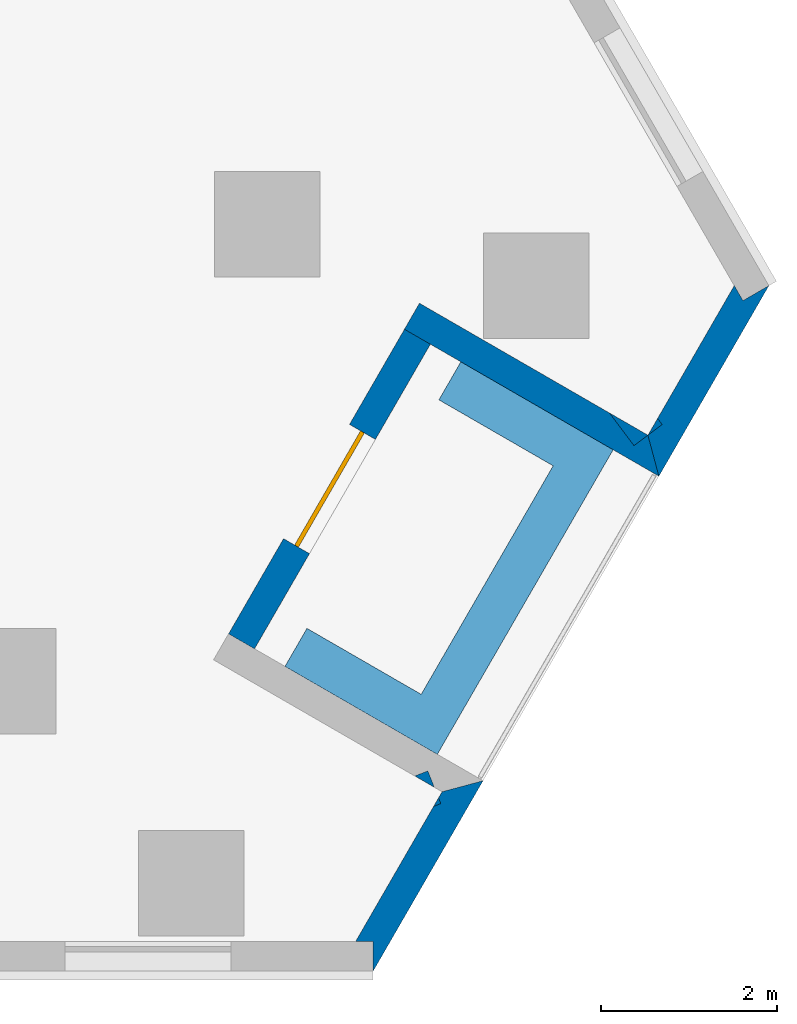
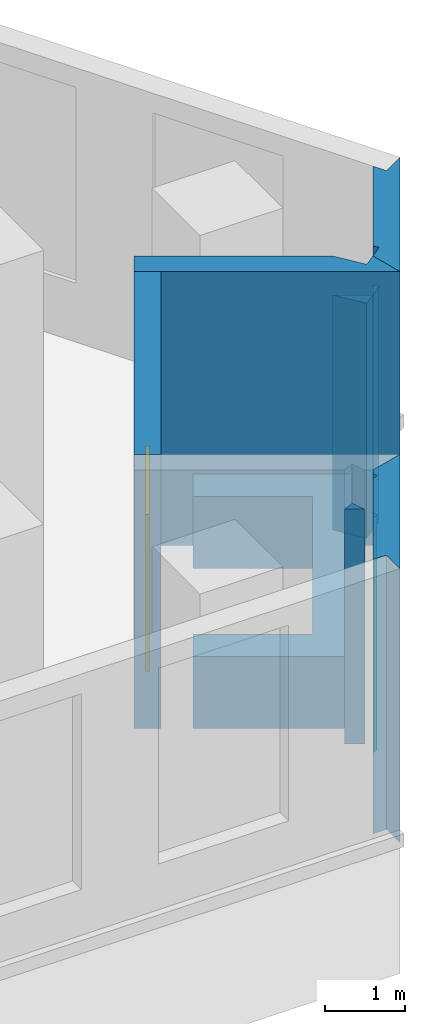
# One storey, part 6 of 13: 9 walls, 1 door, 1 opening.
"""IFC4 building model written with IfcOpenShell, lengths in metres."""

from ifc_helpers import new_model, si_unit, direction, frame, frame_2d, origin, place, context, subcontext, project, spatial, polyline, rectangle, outline, extrude, material, layer, layer_set, type_object, element, fill, save


model = new_model("IFC4")

# Units and contexts
model_context = context("Model", 3, precision=1e-05, world=origin(), true_north=direction((0.0, 1.0)))
body_context = subcontext(model_context, "Body", "Model", "MODEL_VIEW")
ifc_project = project(units=[si_unit("LENGTHUNIT", "METRE"), si_unit("AREAUNIT", "SQUARE_METRE"), si_unit("VOLUMEUNIT", "CUBIC_METRE"), si_unit("PLANEANGLEUNIT", "RADIAN"), si_unit("MASSUNIT", "GRAM", prefix="KILO")], contexts=[model_context])

# Site, building, storey
site_placement = place(None, origin())
site = spatial("IfcSite", under=ifc_project, at=site_placement, CompositionType="ELEMENT")
building_placement = place(site_placement, origin())
building = spatial("IfcBuilding", under=site, at=building_placement, Name="Fogline Exchange Tower", CompositionType="ELEMENT")
storey_placement = place(building_placement, frame((0.0, 0.0, 25.0)))
storey = spatial("IfcBuildingStorey", under=building, at=storey_placement, Name="L04", CompositionType="ELEMENT", Elevation=25.0)

# Walls
ifc_material_1 = material(Name="Brick masonry", Category="masonry")
ifc_layer_1 = layer(ifc_material_1, 0.340087890625)
ifc_layer_set_1 = layer_set([ifc_layer_1], Name="FW1")
wall_type_1 = type_object("IfcWallType", Name="FW1", PredefinedType="SOLIDWALL", material=ifc_layer_set_1)
wall_1_placement = place(storey_placement, origin())
element("IfcWall", 1, at=wall_1_placement, inside=storey, type_object=wall_type_1, Name="Brick wall L04 SE-c1", PredefinedType="SOLIDWALL", context=body_context, shape_type="SweptSolid", body=[
    extrude(outline(polyline([(28.744384765625, 1.970703125), (28.77001953125, 1.906005859375), (28.6884765625, 1.873779296875), (28.744384765625, 1.970703125)])), origin(), (0.0, 0.0, 1.0), 3.60009765625),
])
wall_2_placement = place(storey_placement, origin())
element("IfcWall", 2, at=wall_2_placement, inside=storey, type_object=wall_type_1, Name="Brick wall L04 SE-c1", PredefinedType="SOLIDWALL", context=body_context, shape_type="SweptSolid", body=[
    extrude(outline(polyline([(28.0, -0.001220703125), (27.99951171875, -0.0009765625), (27.99951171875, 0.33935546875), (27.802734375, 0.33935546875), (28.6884765625, 1.873779296875), (28.77001953125, 1.906005859375), (28.744384765625, 1.970703125), (28.78515625, 2.041015625), (29.2509765625, 2.166015625), (29.2509765625, 2.165771484375), (28.0, -0.001220703125)])), origin(), (0.0, 0.0, 1.0), 4.199951171875),
])
wall_3_placement = place(storey_placement, origin())
element("IfcWall", 3, at=wall_3_placement, inside=storey, type_object=wall_type_1, Name="Brick wall L04 SE-s1", PredefinedType="SOLIDWALL", context=body_context, shape_type="SweptSolid", body=[
    extrude(outline(polyline([(28.474609375, 2.219482421875), (28.623046875, 2.278076171875), (28.69677734375, 2.091064453125), (28.474609375, 2.219482421875)])), origin(), (0.0, 0.0, 1.0), 3.60009765625),
])

# Wall, opening, door
wall_4_placement = place(storey_placement, frame((26.504638671875, 3.75, 0.0), z_axis=(0.0, 0.0, 1.0), x_axis=(0.49999894854, 0.866026010844, 0.0)))
wall_4 = element("IfcWall", 4, at=wall_4_placement, inside=storey, type_object=wall_type_1, Name="Brick wall L04 SE-bk", PredefinedType="SOLIDWALL", context=body_context, shape_type="SweptSolid", body=[
    extrude(rectangle(XDim=4.0, YDim=0.340087890625, at=frame_2d((2.0, 0.0))), origin(), (0.0, 0.0, 1.0), 4.199951171875),
])
opening_placement = place(wall_4_placement, frame((1.25, 0.0, 0.0)))
opening = element("IfcOpeningElement", 5, at=opening_placement, cuts=wall_4, Name="Opening T00-E081", PredefinedType="OPENING", context=body_context, shape_type="SweptSolid", body=[
    extrude(rectangle(XDim=1.5, YDim=2.39990234375, at=frame_2d((0.75, 1.199951171875))), frame((0.0, 0.18017578125, 0.0), z_axis=(0.0, -1.0, 0.0), x_axis=(1.0, 0.0, 0.0)), (0.0, 0.0, 1.0), 0.360107421875),
])
ifc_material_2 = material(Name="Aluminium and glass", Category="aluminium")
door_type = type_object("IfcDoorType", Name="ED4", OperationType="SINGLE_SWING_LEFT", PredefinedType="DOOR", material=ifc_material_2)
door_placement = place(opening_placement, frame((1.5, 0.0, 0.0), z_axis=(0.0, 0.0, 1.0), x_axis=(-1.0, 0.0, 0.0)))
door = element("IfcDoor", 6, at=door_placement, inside=storey, type_object=door_type, Name="Balcony door L04 SE", OperationType="DOUBLE_DOOR_SINGLE_SWING", OverallHeight=2.39990234375, OverallWidth=1.5, PredefinedType="DOOR", context=body_context, shape_type="SweptSolid", body=[
    extrude(rectangle(XDim=1.5, YDim=2.39990234375, at=frame_2d((0.75, 1.199951171875))), frame((0.0, 0.02490234375, 0.0), z_axis=(0.0, -1.0, 0.0), x_axis=(1.0, 0.0, 0.0)), (0.0, 0.0, 1.0), 0.050048828125),
])
fill(opening, door)

# Walls
wall_5_placement = place(storey_placement, origin())
element("IfcWall", 7, at=wall_5_placement, inside=storey, type_object=wall_type_1, Name="Brick wall L04 SE-s2", PredefinedType="SOLIDWALL", context=body_context, shape_type="SweptSolid", body=[
    extrude(outline(polyline([(31.125244140625, 6.094482421875), (30.966552734375, 5.9755859375), (30.689208984375, 6.34619140625), (31.125244140625, 6.094482421875)])), origin(), (0.0, 0.0, 1.0), 3.60009765625),
])
wall_6_placement = place(storey_placement, origin())
element("IfcWall", 8, at=wall_6_placement, inside=storey, type_object=wall_type_1, Name="Brick wall L04 SE-s2", PredefinedType="SOLIDWALL", context=body_context, shape_type="SweptSolid", body=[
    extrude(outline(polyline([(28.651611328125, 7.128662109375), (28.356689453125, 7.298828125), (28.52734375, 7.594482421875), (30.689208984375, 6.34619140625), (30.966552734375, 5.9755859375), (31.125244140625, 6.094482421875), (31.1259765625, 6.093994140625), (31.250732421875, 5.62841796875), (31.25048828125, 5.628173828125), (28.651611328125, 7.128662109375)])), origin(), (0.0, 0.0, 1.0), 4.199951171875),
])
wall_7_placement = place(storey_placement, origin())
element("IfcWall", 9, at=wall_7_placement, inside=storey, type_object=wall_type_1, Name="Brick wall L04 SE-c2", PredefinedType="SOLIDWALL", context=body_context, shape_type="SweptSolid", body=[
    extrude(outline(polyline([(31.235107421875, 6.284423828125), (31.28662109375, 6.21533203125), (31.12548828125, 6.0947265625), (31.235107421875, 6.284423828125)])), origin(), (0.0, 0.0, 1.0), 3.60009765625),
])
wall_8_placement = place(storey_placement, origin())
element("IfcWall", 10, at=wall_8_placement, inside=storey, type_object=wall_type_1, Name="Brick wall L04 SE-c2", PredefinedType="SOLIDWALL", context=body_context, shape_type="SweptSolid", body=[
    extrude(outline(polyline([(32.205810546875, 7.625), (32.500732421875, 7.79541015625), (32.5009765625, 7.794921875), (31.25, 5.6279296875), (31.249755859375, 5.6279296875), (31.125, 6.09375), (31.12548828125, 6.0947265625), (31.28662109375, 6.21533203125), (31.235107421875, 6.284423828125), (32.107421875, 7.79541015625), (32.205810546875, 7.625)])), origin(), (0.0, 0.0, 1.0), 4.199951171875),
])
ifc_material_3 = material(Name="Concrete C30", Category="concrete")
ifc_layer_2 = layer(ifc_material_3, 0.199951171875)
ifc_layer_set_2 = layer_set([ifc_layer_2], Name="PL1")
wall_type_2 = type_object("IfcWallType", Name="PL1", PredefinedType="USERDEFINED", material=ifc_layer_set_2)
wall_9_placement = place(storey_placement, origin())
element("IfcWall", 11, at=wall_9_placement, inside=storey, type_object=wall_type_2, Name="PLANTER balcony L04 SE", ObjectType="PLANTER", PredefinedType="USERDEFINED", context=body_context, shape_type="SweptSolid", body=[
    extrude(outline(polyline([(26.998291015625, 3.465087890625), (28.29736328125, 2.715087890625), (28.29736328125, 2.715087890625), (28.73046875, 2.465087890625), (30.48046875, 5.49609375), (30.73046875, 5.92919921875), (28.998291015625, 6.92919921875), (28.748291015625, 6.49609375), (30.04736328125, 5.74609375), (28.54736328125, 3.148193359375), (27.248291015625, 3.898193359375), (26.998291015625, 3.465087890625)])), origin(), (0.0, 0.0, 1.0), 1.10009765625),
])

save(model, "model.ifc")
